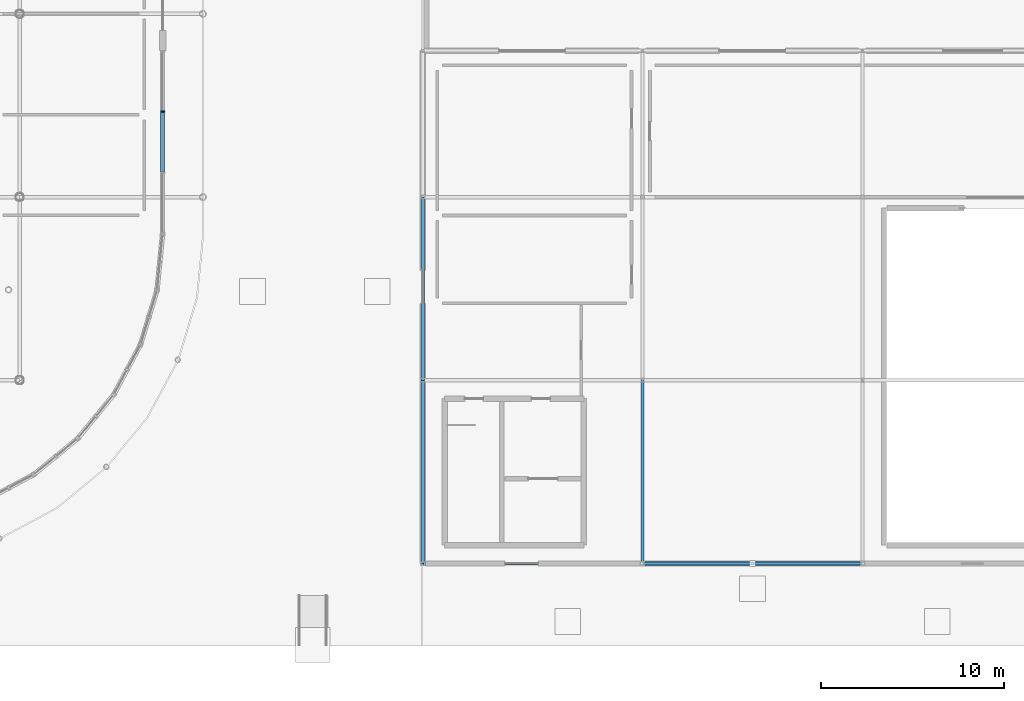
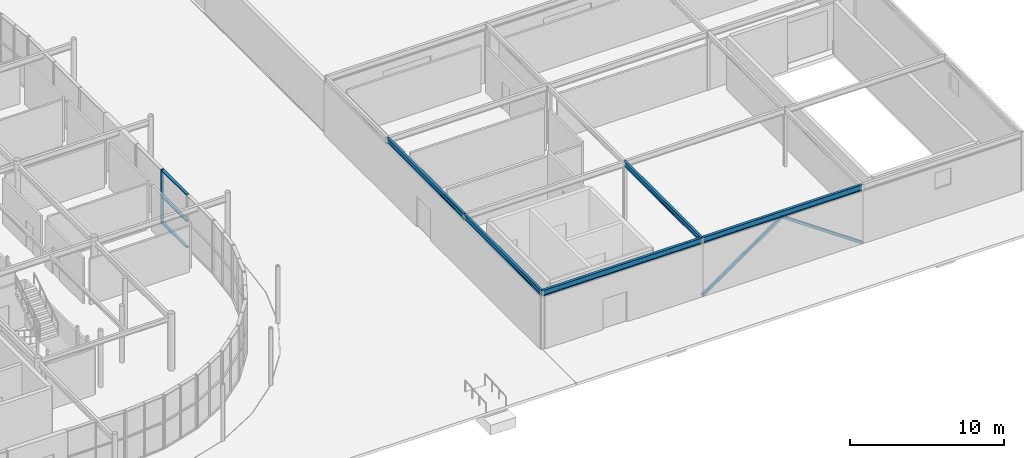
# One storey, part 66 of 119: 6 members, 5 beams, 1 element without a shape of its own.
"""IFC4 building model written with IfcOpenShell, lengths in metres."""

from ifc_helpers import new_model, si_unit, derived_unit, direction, frame, origin, origin_2d_with_axis, place, context, subcontext, project, spatial, rectangle, hollow_rectangle, i_section, extrude, material, material_profile, profile_set, type_object, element, aggregate, save


model = new_model("IFC4")

# Units and contexts
model_context = context("Model", 3, precision=1e-05, world=origin(), true_north=direction((0.0, 1.0)))
body_context = subcontext(model_context, "Body", "Model", "MODEL_VIEW")
ifc_project = project(units=[si_unit("LENGTHUNIT", "METRE"), si_unit("AREAUNIT", "SQUARE_METRE"), si_unit("VOLUMEUNIT", "CUBIC_METRE"), si_unit("PLANEANGLEUNIT", "RADIAN"), si_unit("MASSUNIT", "GRAM", prefix="KILO"), derived_unit("THERMALTRANSMITTANCEUNIT", [(si_unit("POWERUNIT", "WATT"), 1), (si_unit("LENGTHUNIT", "METRE"), -2), (si_unit("THERMODYNAMICTEMPERATUREUNIT", "KELVIN"), -1)])], contexts=[model_context])

# Site, building, storey
site_placement = place(None, origin())
site = spatial("IfcSite", under=ifc_project, at=site_placement, CompositionType="ELEMENT")
building_placement = place(site_placement, origin())
building = spatial("IfcBuilding", under=site, at=building_placement, Name="Cinnabar Yard Market Hall", CompositionType="ELEMENT")
storey_placement = place(building_placement, origin())
storey = spatial("IfcBuildingStorey", under=building, at=storey_placement, Name="L00", CompositionType="ELEMENT", Elevation=0.0)

# Beams
ifc_material_1 = material(Name="Steel Grade 300 (300 MPa)", Category="steel")
ifc_material_profile_1 = material_profile(ifc_material_1, i_section(OverallWidth=0.18994140625, OverallDepth=0.453857421875, WebThickness=0.008544921875, FlangeThickness=0.0126953125, FilletRadius=0.011474609375, at=origin_2d_with_axis()), Name="460UB67.1")
ifc_profile_set_1 = profile_set([ifc_material_profile_1], Name="Steel Grade 300 (300 MPa)")
beam_type_1 = type_object("IfcBeamType", Name="BM-B05E", PredefinedType="BEAM", material=ifc_profile_set_1)
for number, where, z_axis, x_axis, name in (
    (1, (178.0, 14.0, 4.403076171875), (1.0, 0.0, 0.0), (0.0, 1.0, 0.0), "V4 Dock Roof Girder X 01491"),
    (2, (190.0, 14.0, 4.403076171875), (1.0, 0.0, 0.0), (0.0, 1.0, 0.0), "V4 Dock Roof Girder X 01503"),
):
    element("IfcBeam", number, at=place(storey_placement, frame(where, z_axis=z_axis, x_axis=x_axis)), inside=storey, type_object=beam_type_1, Name=name, PredefinedType="BEAM", context=body_context, shape_type="SweptSolid", body=[
        extrude(i_section(OverallWidth=0.18994140625, OverallDepth=0.453857421875, WebThickness=0.008544921875, FlangeThickness=0.0126953125, FilletRadius=0.011474609375, at=origin_2d_with_axis()), origin(), (0.0, 0.0, 1.0), 12.0),
    ])
ifc_material_profile_2 = material_profile(ifc_material_1, i_section(OverallWidth=0.177978515625, OverallDepth=0.406494140625, WebThickness=0.0078125, FlangeThickness=0.0126953125, FilletRadius=0.011474609375, at=origin_2d_with_axis()), Name="410UB59.7")
ifc_profile_set_2 = profile_set([ifc_material_profile_2], Name="Steel Grade 300 (300 MPa)")
beam_type_2 = type_object("IfcBeamType", Name="BM-B06", PredefinedType="BEAM", material=ifc_profile_set_2)
beam_placement = place(storey_placement, frame((190.0, 14.0, 4.4267578125), z_axis=(0.0, 1.0, 0.0), x_axis=(-1.0, 0.0, 0.0)))
element("IfcBeam", 3, at=beam_placement, inside=storey, type_object=beam_type_2, Name="V4 Dock Roof Girder Y 01530", PredefinedType="BEAM", context=body_context, shape_type="SweptSolid", body=[
    extrude(i_section(OverallWidth=0.177978515625, OverallDepth=0.406494140625, WebThickness=0.0078125, FlangeThickness=0.0126953125, FilletRadius=0.011474609375, at=origin_2d_with_axis()), origin(), (0.0, 0.0, 1.0), 10.0),
])
ifc_material_profile_3 = material_profile(ifc_material_1, i_section(OverallWidth=0.177978515625, OverallDepth=0.406494140625, WebThickness=0.0078125, FlangeThickness=0.0126953125, FilletRadius=0.011474609375, at=origin_2d_with_axis()), Name="410UB59.7")
ifc_profile_set_3 = profile_set([ifc_material_profile_3], Name="Steel Grade 300 (300 MPa)")
beam_type_3 = type_object("IfcBeamType", Name="BM-B06E", PredefinedType="BEAM", material=ifc_profile_set_3)
for number, where, z_axis, x_axis, name in (
    (4, (178.0, 14.0, 4.4267578125), (0.0, 1.0, 0.0), (-1.0, 0.0, 0.0), "V4 Dock Roof Girder Y 01521"),
    (5, (178.0, 24.0, 4.4267578125), (0.0, 1.0, 0.0), (-1.0, 0.0, 0.0), "V4 Dock Roof Girder Y 01523"),
):
    element("IfcBeam", number, at=place(storey_placement, frame(where, z_axis=z_axis, x_axis=x_axis)), inside=storey, type_object=beam_type_3, Name=name, PredefinedType="BEAM", context=body_context, shape_type="SweptSolid", body=[
        extrude(i_section(OverallWidth=0.177978515625, OverallDepth=0.406494140625, WebThickness=0.0078125, FlangeThickness=0.0126953125, FilletRadius=0.011474609375, at=origin_2d_with_axis()), origin(), (0.0, 0.0, 1.0), 10.0),
    ])

# Curtain wall, members
ifc_material_2 = material(Name="Anodised bronze aluminium and low-E glass", Category="aluminium")
curtain_wall_type = type_object("IfcCurtainWallType", Name="CW-CWH100x42", PredefinedType="NOTDEFINED", material=ifc_material_2)
curtain_wall_placement = place(storey_placement, origin())
curtain_wall = element("IfcCurtainWall", 6, at=curtain_wall_placement, inside=storey, type_object=curtain_wall_type, Name="Market Hall East Ground Glazing W1", PredefinedType="NOTDEFINED")
ifc_material_3 = material(Name="Anodised bronze aluminium", Category="aluminium")
ifc_material_profile_4 = material_profile(ifc_material_3, rectangle(XDim=0.219970703125, YDim=0.080078125, at=origin_2d_with_axis()), Name="MUL-CWH")
ifc_profile_set_4 = profile_set([ifc_material_profile_4], Name="Anodised bronze aluminium")
member_type_1 = type_object("IfcMemberType", Name="CWM-CWH", PredefinedType="MULLION", material=ifc_profile_set_4)
member_1_placement = place(storey_placement, frame((163.800048828125, 38.666748046875, 0.0), z_axis=(0.0, 0.0, 1.0), x_axis=(-1.0, 0.0, 0.0)))
member_1 = element("IfcMember", 7, at=member_1_placement, type_object=member_type_1, Name="CWH100x42 mullion 3", PredefinedType="MULLION", context=body_context, shape_type="SweptSolid", body=[
    extrude(rectangle(XDim=0.219970703125, YDim=0.080078125, at=origin_2d_with_axis()), origin(), (0.0, 0.0, 1.0), 4.239990234375),
])
ifc_material_profile_5 = material_profile(ifc_material_3, rectangle(XDim=0.219970703125, YDim=0.080078125, at=origin_2d_with_axis()), Name="TRN-CWH")
ifc_profile_set_5 = profile_set([ifc_material_profile_5], Name="Anodised bronze aluminium")
member_type_2 = type_object("IfcMemberType", Name="CWT-CWH", PredefinedType="USERDEFINED", material=ifc_profile_set_5)
member_2_placement = place(storey_placement, frame((163.800048828125, 35.373291015625, 0.0400390625), z_axis=(0.0, 1.0, 0.0), x_axis=(-1.0, 0.0, 0.0)))
member_2 = element("IfcMember", 8, at=member_2_placement, type_object=member_type_2, Name="CWH100x42 transom 2.1", ObjectType="TRANSOM", PredefinedType="USERDEFINED", context=body_context, shape_type="SweptSolid", body=[
    extrude(rectangle(XDim=0.219970703125, YDim=0.080078125, at=origin_2d_with_axis()), origin(), (0.0, 0.0, 1.0), 3.25341796875),
])
member_3_placement = place(storey_placement, frame((163.800048828125, 35.373291015625, 2.1201171875), z_axis=(0.0, 1.0, 0.0), x_axis=(-1.0, 0.0, 0.0)))
member_3 = element("IfcMember", 9, at=member_3_placement, type_object=member_type_2, Name="CWH100x42 transom 2.2", ObjectType="TRANSOM", PredefinedType="USERDEFINED", context=body_context, shape_type="SweptSolid", body=[
    extrude(rectangle(XDim=0.219970703125, YDim=0.080078125, at=origin_2d_with_axis()), origin(), (0.0, 0.0, 1.0), 3.25341796875),
])
member_4_placement = place(storey_placement, frame((163.800048828125, 35.373291015625, 4.199951171875), z_axis=(0.0, 1.0, 0.0), x_axis=(-1.0, 0.0, 0.0)))
member_4 = element("IfcMember", 10, at=member_4_placement, type_object=member_type_2, Name="CWH100x42 transom 2.3", ObjectType="TRANSOM", PredefinedType="USERDEFINED", context=body_context, shape_type="SweptSolid", body=[
    extrude(rectangle(XDim=0.219970703125, YDim=0.080078125, at=origin_2d_with_axis()), origin(), (0.0, 0.0, 1.0), 3.25341796875),
])
aggregate(curtain_wall, [member_1, member_2, member_3, member_4])

# Members
ifc_material_4 = material(Name="Cold-formed steel C350L0", Category="steel")
ifc_material_profile_6 = material_profile(ifc_material_4, hollow_rectangle(XDim=0.199951171875, YDim=0.199951171875, WallThickness=0.008056640625, InnerFilletRadius=0.008056640625, OuterFilletRadius=0.01611328125, at=origin_2d_with_axis()), Name="200x200x8.0SHS")
ifc_profile_set_6 = profile_set([ifc_material_profile_6], Name="Cold-formed steel C350L0")
member_type_3 = type_object("IfcMemberType", Name="MB-BR01E", PredefinedType="BRACE", material=ifc_profile_set_6)
for number, where, z_axis, x_axis, name in (
    (11, (190.0, 14.0, 0.0), (0.821803168137, 0.0, 0.569771491776), (0.0, 1.0, 0.0), "Chevron Brace CBF-V4-S1 A"),
    (12, (202.0, 14.0, 0.0), (-0.821803168137, 0.0, 0.569771491776), (0.0, -1.0, 0.0), "Chevron Brace CBF-V4-S1 B"),
):
    element("IfcMember", number, at=place(storey_placement, frame(where, z_axis=z_axis, x_axis=x_axis)), inside=storey, type_object=member_type_3, Name=name, PredefinedType="BRACE", context=body_context, shape_type="SweptSolid", body=[
        extrude(hollow_rectangle(XDim=0.199951171875, YDim=0.199951171875, WallThickness=0.008056640625, InnerFilletRadius=0.008056640625, OuterFilletRadius=0.01611328125, at=origin_2d_with_axis()), origin(), (0.0, 0.0, 1.0), 7.301025390625),
    ])

save(model, "model.ifc")
